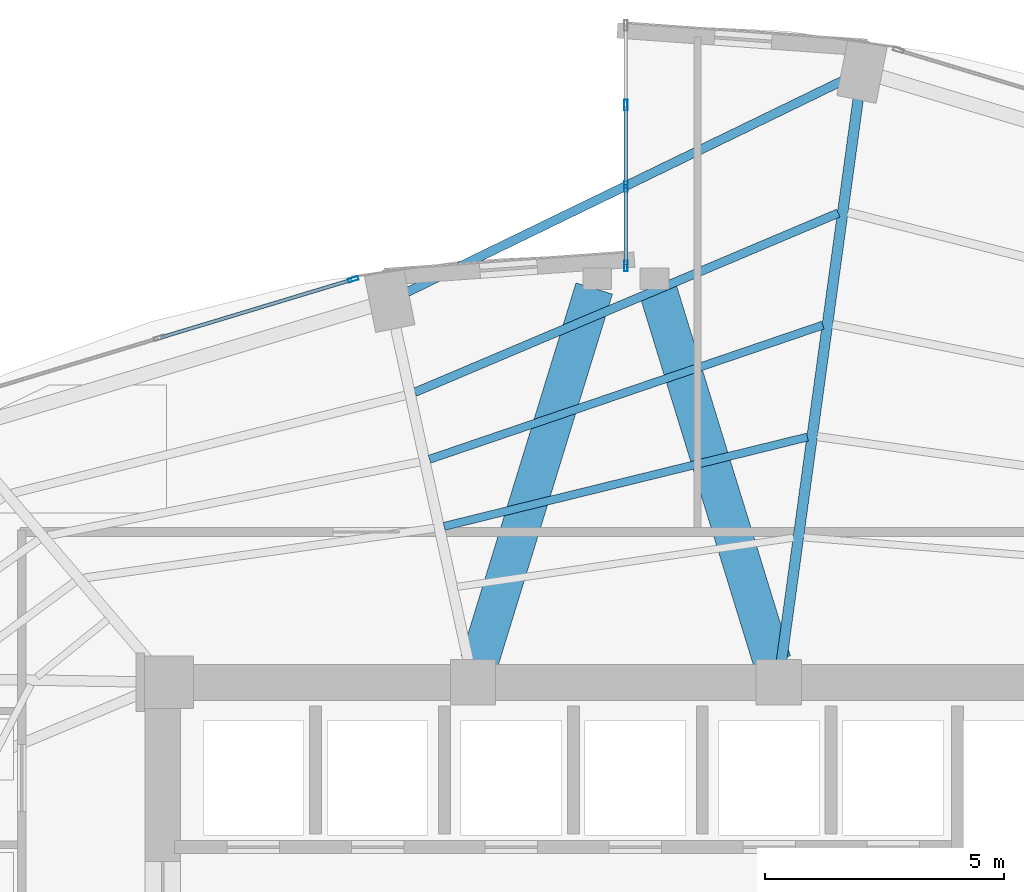
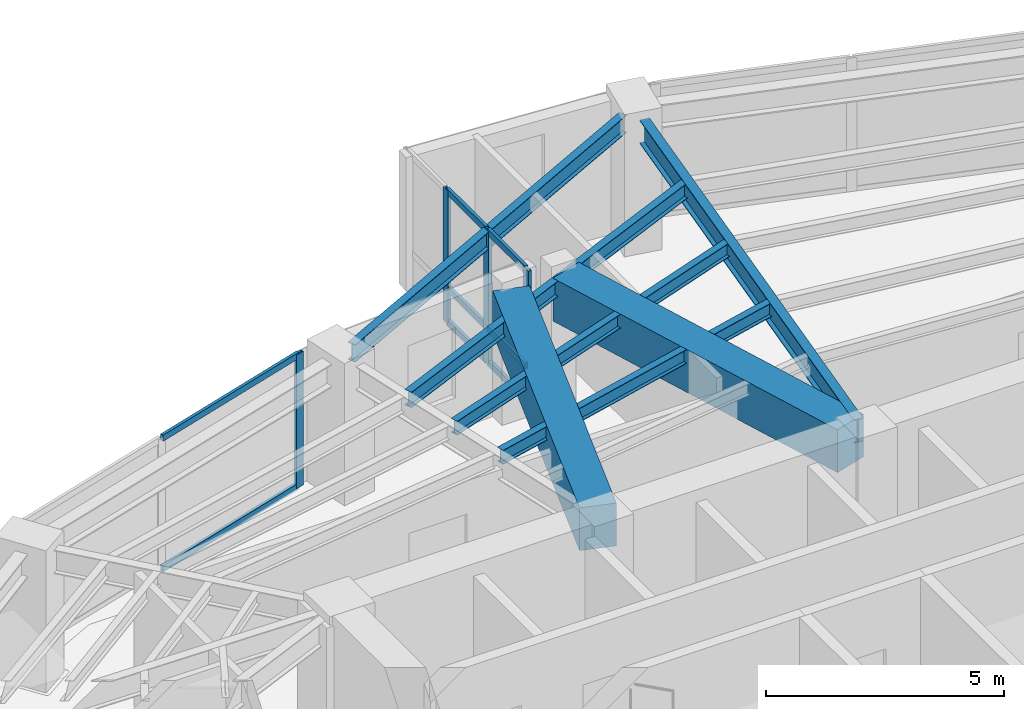
# One storey, part 15 of 24: 12 members, 7 beams, 2 elements without a shape of their own.
"""IFC4 building model written with IfcOpenShell, lengths in metres."""

from ifc_helpers import new_model, si_unit, direction, frame, origin, origin_2d, place, context, subcontext, project, spatial, rectangle, hollow_rectangle, i_section, extrude, material, layer, layer_set, material_profile, profile_set, type_object, element, aggregate, save


model = new_model("IFC4")

# Units and contexts
model_context = context("Model", 3, precision=1e-05, world=origin(), true_north=direction((0.0, 1.0)))
body_context = subcontext(model_context, "Body", "Model", "MODEL_VIEW")
ifc_project = project(units=[si_unit("LENGTHUNIT", "METRE"), si_unit("AREAUNIT", "SQUARE_METRE"), si_unit("VOLUMEUNIT", "CUBIC_METRE"), si_unit("PLANEANGLEUNIT", "RADIAN"), si_unit("MASSUNIT", "GRAM", prefix="KILO")], contexts=[model_context])

# Site, building, storey
site_placement = place(None, origin())
site = spatial("IfcSite", under=ifc_project, at=site_placement, CompositionType="ELEMENT")
building_placement = place(site_placement, origin())
building = spatial("IfcBuilding", under=site, at=building_placement, Name="Lazwardi Medical Tower", CompositionType="ELEMENT")
storey_placement = place(building_placement, frame((0.0, 0.0, 96.3359375)))
storey = spatial("IfcBuildingStorey", under=building, at=storey_placement, Name="L24", CompositionType="ELEMENT", Elevation=96.3359375)

# Beams
ifc_material_1 = material(Name="Concrete C70/85", Category="concrete")
ifc_material_profile_1 = material_profile(ifc_material_1, rectangle(XDim=0.800048828125, YDim=1.10009765625, at=origin_2d()), Name="RC 800x1100")
ifc_profile_set_1 = profile_set([ifc_material_profile_1], Name="Concrete C70/85")
beam_type_1 = type_object("IfcBeamType", Name="BM-CB-RC1", PredefinedType="LINTEL", material=ifc_profile_set_1)
for number, where, z_axis, x_axis, name in (
    (1, (32.935302734375, 36.039794921875, 2.878173828125), (0.294073251002, 0.955782884888, 0.0), (-0.955782884888, 0.294073251002, 0.0), "Core coupling lintel CB-01 PL1 L24"),
    (2, (39.064697265625, 36.039794921875, 2.878173828125), (-0.294073251002, 0.955782884888, 0.0), (-0.955782884888, -0.294073251002, 0.0), "Core coupling lintel CB-01 PL2 L24"),
):
    element("IfcBeam", number, at=place(storey_placement, frame(where, z_axis=z_axis, x_axis=x_axis)), inside=storey, type_object=beam_type_1, Name=name, PredefinedType="LINTEL", context=body_context, shape_type="SweptSolid", body=[
        extrude(rectangle(XDim=0.800048828125, YDim=1.10009765625, at=origin_2d()), origin(), (0.0, 0.0, 1.0), 8.1708984375),
    ])
ifc_material_2 = material(Name="Steel S355", Category="steel")
ifc_material_profile_2 = material_profile(ifc_material_2, i_section(OverallWidth=0.219970703125, OverallDepth=0.60009765625, WebThickness=0.011962890625, FlangeThickness=0.01904296875, at=origin_2d()), Name="IPE 600")
ifc_profile_set_2 = profile_set([ifc_material_profile_2], Name="Steel S355")
beam_type_2 = type_object("IfcBeamType", Name="BM-RG-W1", PredefinedType="BEAM", material=ifc_profile_set_2)
beam_1_placement = place(storey_placement, frame((40.8671875, 47.82275390625, 3.128173828125), z_axis=(-0.135147148002, -0.990825538825, 0.0), x_axis=(0.990825538825, -0.135147148002, 0.0)))
element("IfcBeam", 3, at=beam_1_placement, inside=storey, type_object=beam_type_2, Name="Radial girder RG-02 R08 L24", PredefinedType="BEAM", context=body_context, shape_type="SweptSolid", body=[
    extrude(i_section(OverallWidth=0.219970703125, OverallDepth=0.60009765625, WebThickness=0.011962890625, FlangeThickness=0.01904296875, at=origin_2d()), origin(), (0.0, 0.0, 1.0), 11.875732421875),
])
ifc_material_profile_3 = material_profile(ifc_material_2, i_section(OverallWidth=0.179931640625, OverallDepth=0.39990234375, WebThickness=0.008544921875, FlangeThickness=0.013427734375, at=origin_2d()), Name="IPE 400")
ifc_profile_set_3 = profile_set([ifc_material_profile_3], Name="Steel S355")
beam_type_3 = type_object("IfcBeamType", Name="BM-SJ-01", PredefinedType="JOIST", material=ifc_profile_set_3)
beam_2_placement = place(storey_placement, frame((40.449462890625, 45.428466796875, 3.22802734375), z_axis=(-0.920947307957, -0.389687125739, 0.0), x_axis=(0.389687125739, -0.920947307957, 0.0)))
element("IfcBeam", 4, at=beam_2_placement, inside=storey, type_object=beam_type_3, Name="Secondary joist SJ-01 R1 B08 L24", PredefinedType="JOIST", context=body_context, shape_type="SweptSolid", body=[
    extrude(i_section(OverallWidth=0.179931640625, OverallDepth=0.39990234375, WebThickness=0.008544921875, FlangeThickness=0.013427734375, at=origin_2d()), origin(), (0.0, 0.0, 1.0), 9.63134765625),
])
ifc_material_profile_4 = material_profile(ifc_material_2, i_section(OverallWidth=0.169921875, OverallDepth=0.360107421875, WebThickness=0.008056640625, FlangeThickness=0.0126953125, at=origin_2d()), Name="IPE 360")
ifc_profile_set_4 = profile_set([ifc_material_profile_4], Name="Steel S355")
beam_type_4 = type_object("IfcBeamType", Name="BM-SJ-02", PredefinedType="JOIST", material=ifc_profile_set_4)
beam_3_placement = place(storey_placement, frame((40.125732421875, 43.08203125, 3.248046875), z_axis=(-0.946467154368, -0.322800132749, 0.0), x_axis=(0.322800132749, -0.946467154368, 0.0)))
element("IfcBeam", 5, at=beam_3_placement, inside=storey, type_object=beam_type_4, Name="Secondary joist SJ-02 R2 B08 L24", PredefinedType="JOIST", context=body_context, shape_type="SweptSolid", body=[
    extrude(i_section(OverallWidth=0.169921875, OverallDepth=0.360107421875, WebThickness=0.008056640625, FlangeThickness=0.0126953125, at=origin_2d()), origin(), (0.0, 0.0, 1.0), 8.70458984375),
])
beam_4_placement = place(storey_placement, frame((39.80224609375, 40.737548828125, 3.248046875), z_axis=(-0.97107737879, -0.238764998276, 0.0), x_axis=(0.238764998276, -0.97107737879, 0.0)))
element("IfcBeam", 6, at=beam_4_placement, inside=storey, type_object=beam_type_4, Name="Secondary joist SJ-02 R3 B08 L24", PredefinedType="JOIST", context=body_context, shape_type="SweptSolid", body=[
    extrude(i_section(OverallWidth=0.169921875, OverallDepth=0.360107421875, WebThickness=0.008056640625, FlangeThickness=0.0126953125, at=origin_2d()), origin(), (0.0, 0.0, 1.0), 7.83447265625),
])
ifc_material_profile_5 = material_profile(ifc_material_2, i_section(OverallWidth=0.18994140625, OverallDepth=0.449951171875, WebThickness=0.009521484375, FlangeThickness=0.0146484375, at=origin_2d()), Name="IPE 450")
ifc_profile_set_5 = profile_set([ifc_material_profile_5], Name="Steel S355")
beam_type_5 = type_object("IfcBeamType", Name="BM-SP-01", PredefinedType="SPANDREL", material=ifc_profile_set_5)
beam_5_placement = place(storey_placement, frame((40.57666015625, 48.218505859375, 3.203125), z_axis=(-0.899653336227, -0.436604941125, 0.0), x_axis=(0.436604941125, -0.899653336227, 0.0)))
element("IfcBeam", 7, at=beam_5_placement, inside=storey, type_object=beam_type_5, Name="Spandrel beam SP-01 B08 L24", PredefinedType="SPANDREL", context=body_context, shape_type="SweptSolid", body=[
    extrude(i_section(OverallWidth=0.18994140625, OverallDepth=0.449951171875, WebThickness=0.009521484375, FlangeThickness=0.0146484375, at=origin_2d()), origin(), (0.0, 0.0, 1.0), 10.17431640625),
])

# Curtain wall, member
ifc_material_3 = material(Name="Anodised bronze aluminium and solar control glazing", Category="aluminium")
ifc_layer_1 = layer(ifc_material_3, 0.195068359375)
ifc_layer_set_1 = layer_set([ifc_layer_1], Name="Anodised bronze aluminium and solar control glazing")
curtain_wall_type_1 = type_object("IfcCurtainWallType", Name="CW-SYS-03", PredefinedType="NOTDEFINED", material=ifc_layer_set_1)
curtain_wall_1_placement = place(storey_placement, origin())
curtain_wall_1 = element("IfcCurtainWall", 8, at=curtain_wall_1_placement, inside=storey, type_object=curtain_wall_type_1, Name="L24 Unitised bronze curtain wall CW-03", PredefinedType="NOTDEFINED")
ifc_material_4 = material(Name="Anodised bronze aluminium", Category="aluminium")
ifc_material_profile_6 = material_profile(ifc_material_4, hollow_rectangle(XDim=0.074951171875, YDim=0.219970703125, WallThickness=0.00390625, at=origin_2d()), Name="ALU-MULLION 220x75x4")
ifc_profile_set_6 = profile_set([ifc_material_profile_6], Name="Anodised bronze aluminium")
member_type_1 = type_object("IfcMemberType", Name="CW-MUL-01", PredefinedType="MULLION", material=ifc_profile_set_6)
member_1_placement = place(storey_placement, frame((30.289794921875, 44.0400390625, 0.0), z_axis=(0.0, 0.0, 1.0), x_axis=(0.28937381157, -0.957216170558, 0.0)))
member_1 = element("IfcMember", 9, at=member_1_placement, type_object=member_type_1, Name="CW-03 mullion 1", PredefinedType="MULLION", context=body_context, shape_type="SweptSolid", body=[
    extrude(hollow_rectangle(XDim=0.074951171875, YDim=0.219970703125, WallThickness=0.00390625, at=origin_2d()), origin(), (0.0, 0.0, 1.0), 3.427978515625),
])

# Curtain wall, members
ifc_layer_2 = layer(ifc_material_3, 0.2099609375)
ifc_layer_set_2 = layer_set([ifc_layer_2], Name="Anodised bronze aluminium and solar control glazing")
curtain_wall_type_2 = type_object("IfcCurtainWallType", Name="CW-SYS-06", PredefinedType="NOTDEFINED", material=ifc_layer_set_2)
curtain_wall_2_placement = place(storey_placement, origin())
curtain_wall_2 = element("IfcCurtainWall", 10, at=curtain_wall_2_placement, inside=storey, type_object=curtain_wall_type_2, Name="L24 Unitised bronze curtain wall CW-06", PredefinedType="NOTDEFINED")
member_2_placement = place(storey_placement, frame((36.0, 47.693359375, 0.0), z_axis=(0.0, 0.0, 1.0), x_axis=(1.0, 0.0, 0.0)))
member_2 = element("IfcMember", 11, at=member_2_placement, type_object=member_type_1, Name="CW-06 mullion 2", PredefinedType="MULLION", context=body_context, shape_type="SweptSolid", body=[
    extrude(hollow_rectangle(XDim=0.074951171875, YDim=0.219970703125, WallThickness=0.00390625, at=origin_2d()), origin(), (0.0, 0.0, 1.0), 3.427978515625),
])
member_3_placement = place(storey_placement, frame((36.0, 45.986572265625, 0.0), z_axis=(0.0, 0.0, 1.0), x_axis=(1.0, 0.0, 0.0)))
member_3 = element("IfcMember", 12, at=member_3_placement, type_object=member_type_1, Name="CW-06 mullion 3", PredefinedType="MULLION", context=body_context, shape_type="SweptSolid", body=[
    extrude(hollow_rectangle(XDim=0.074951171875, YDim=0.219970703125, WallThickness=0.00390625, at=origin_2d()), origin(), (0.0, 0.0, 1.0), 3.427978515625),
])
member_4_placement = place(storey_placement, frame((36.0, 44.3173828125, 0.0), z_axis=(0.0, 0.0, 1.0), x_axis=(1.0, 0.0, 0.0)))
member_4 = element("IfcMember", 13, at=member_4_placement, type_object=member_type_1, Name="CW-06 mullion 4", PredefinedType="MULLION", context=body_context, shape_type="SweptSolid", body=[
    extrude(hollow_rectangle(XDim=0.074951171875, YDim=0.219970703125, WallThickness=0.00390625, at=origin_2d()), origin(), (0.0, 0.0, 1.0), 3.427978515625),
])

# Member
ifc_material_profile_7 = material_profile(ifc_material_4, hollow_rectangle(XDim=0.074951171875, YDim=0.159912109375, WallThickness=0.00390625, at=origin_2d()), Name="ALU-TRANSOM 160x75x4")
ifc_profile_set_7 = profile_set([ifc_material_profile_7], Name="Anodised bronze aluminium")
member_type_2 = type_object("IfcMemberType", Name="CW-TRN-01", PredefinedType="USERDEFINED", material=ifc_profile_set_7)
member_5_placement = place(storey_placement, frame((30.25390625, 44.029296875, 0.03759765625), z_axis=(-0.957220865985, -0.289358279168, 0.0), x_axis=(0.289358279168, -0.957220865985, 0.0)))
member_5 = element("IfcMember", 14, at=member_5_placement, type_object=member_type_2, Name="CW-03 transom 1.1", ObjectType="TRANSOM", PredefinedType="USERDEFINED", context=body_context, shape_type="SweptSolid", body=[
    extrude(hollow_rectangle(XDim=0.074951171875, YDim=0.159912109375, WallThickness=0.00390625, at=origin_2d()), origin(), (0.0, 0.0, 1.0), 4.16552734375),
])

member_6_placement = place(storey_placement, frame((30.25390625, 44.029296875, 3.390625), z_axis=(-0.957220865985, -0.289358279168, 0.0), x_axis=(0.289358279168, -0.957220865985, 0.0)))
member_6 = element("IfcMember", 15, at=member_6_placement, type_object=member_type_2, Name="CW-03 transom 1.2", ObjectType="TRANSOM", PredefinedType="USERDEFINED", context=body_context, shape_type="SweptSolid", body=[
    extrude(hollow_rectangle(XDim=0.074951171875, YDim=0.159912109375, WallThickness=0.00390625, at=origin_2d()), origin(), (0.0, 0.0, 1.0), 4.16552734375),
])

aggregate(curtain_wall_1, [member_1, member_5, member_6])

member_7_placement = place(storey_placement, frame((36.0, 47.65576171875, 0.03759765625), z_axis=(0.0, -1.0, 0.0), x_axis=(1.0, 0.0, 0.0)))
member_7 = element("IfcMember", 16, at=member_7_placement, type_object=member_type_2, Name="CW-06 transom 2.1", ObjectType="TRANSOM", PredefinedType="USERDEFINED", context=body_context, shape_type="SweptSolid", body=[
    extrude(hollow_rectangle(XDim=0.074951171875, YDim=0.159912109375, WallThickness=0.00390625, at=origin_2d()), origin(), (0.0, 0.0, 1.0), 1.631591796875),
])

member_8_placement = place(storey_placement, frame((36.0, 47.65576171875, 0.900146484375), z_axis=(0.0, -1.0, 0.0), x_axis=(1.0, 0.0, 0.0)))
member_8 = element("IfcMember", 17, at=member_8_placement, type_object=member_type_2, Name="CW-06 transom 2.2", ObjectType="TRANSOM", PredefinedType="USERDEFINED", context=body_context, shape_type="SweptSolid", body=[
    extrude(hollow_rectangle(XDim=0.074951171875, YDim=0.159912109375, WallThickness=0.00390625, at=origin_2d()), origin(), (0.0, 0.0, 1.0), 1.631591796875),
])

member_9_placement = place(storey_placement, frame((36.0, 47.65576171875, 3.390625), z_axis=(0.0, -1.0, 0.0), x_axis=(1.0, 0.0, 0.0)))
member_9 = element("IfcMember", 18, at=member_9_placement, type_object=member_type_2, Name="CW-06 transom 2.3", ObjectType="TRANSOM", PredefinedType="USERDEFINED", context=body_context, shape_type="SweptSolid", body=[
    extrude(hollow_rectangle(XDim=0.074951171875, YDim=0.159912109375, WallThickness=0.00390625, at=origin_2d()), origin(), (0.0, 0.0, 1.0), 1.631591796875),
])

member_10_placement = place(storey_placement, frame((36.0, 45.94921875, 0.03759765625), z_axis=(0.0, -1.0, 0.0), x_axis=(1.0, 0.0, 0.0)))
member_10 = element("IfcMember", 19, at=member_10_placement, type_object=member_type_2, Name="CW-06 transom 3.1", ObjectType="TRANSOM", PredefinedType="USERDEFINED", context=body_context, shape_type="SweptSolid", body=[
    extrude(hollow_rectangle(XDim=0.074951171875, YDim=0.159912109375, WallThickness=0.00390625, at=origin_2d()), origin(), (0.0, 0.0, 1.0), 1.59423828125),
])

member_11_placement = place(storey_placement, frame((36.0, 45.94921875, 0.900146484375), z_axis=(0.0, -1.0, 0.0), x_axis=(1.0, 0.0, 0.0)))
member_11 = element("IfcMember", 20, at=member_11_placement, type_object=member_type_2, Name="CW-06 transom 3.2", ObjectType="TRANSOM", PredefinedType="USERDEFINED", context=body_context, shape_type="SweptSolid", body=[
    extrude(hollow_rectangle(XDim=0.074951171875, YDim=0.159912109375, WallThickness=0.00390625, at=origin_2d()), origin(), (0.0, 0.0, 1.0), 1.59423828125),
])

member_12_placement = place(storey_placement, frame((36.0, 45.94921875, 3.390625), z_axis=(0.0, -1.0, 0.0), x_axis=(1.0, 0.0, 0.0)))
member_12 = element("IfcMember", 21, at=member_12_placement, type_object=member_type_2, Name="CW-06 transom 3.3", ObjectType="TRANSOM", PredefinedType="USERDEFINED", context=body_context, shape_type="SweptSolid", body=[
    extrude(hollow_rectangle(XDim=0.074951171875, YDim=0.159912109375, WallThickness=0.00390625, at=origin_2d()), origin(), (0.0, 0.0, 1.0), 1.59423828125),
])

aggregate(curtain_wall_2, [member_2, member_3, member_4, member_7, member_8, member_9, member_10, member_11, member_12])

save(model, "model.ifc")
